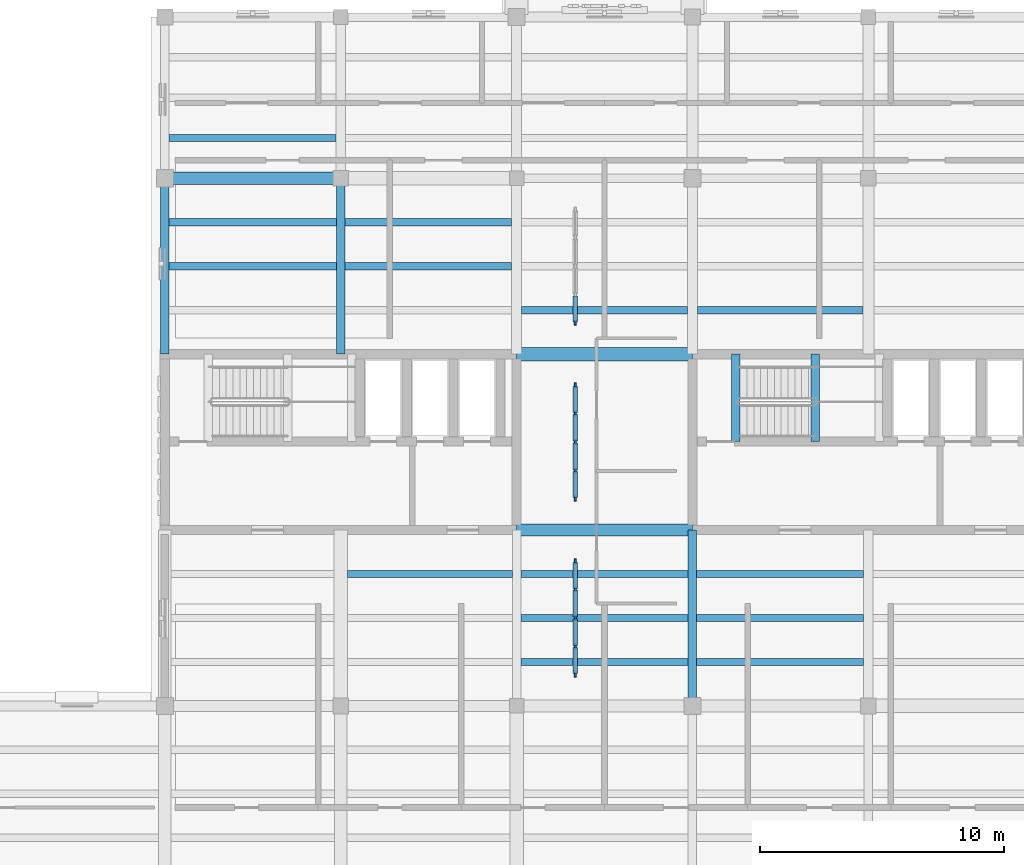
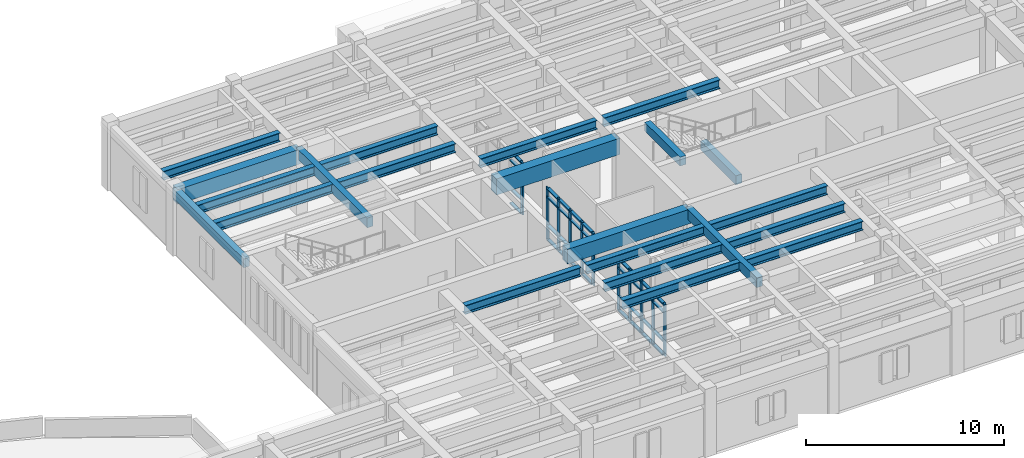
# One storey, part 13 of 66: 47 members, 22 beams, 3 elements without a shape of their own.
"""IFC4 building model written with IfcOpenShell, lengths in metres."""

from ifc_helpers import new_model, si_unit, direction, frame, origin, origin_2d, place, context, subcontext, project, spatial, rectangle, i_section, extrude, material, material_profile, profile_set, type_object, element, aggregate, save


model = new_model("IFC4")

# Units and contexts
model_context = context("Model", 3, precision=1e-05, world=origin(), true_north=direction((0.0, 1.0)))
body_context = subcontext(model_context, "Body", "Model", "MODEL_VIEW")
ifc_project = project(units=[si_unit("LENGTHUNIT", "METRE"), si_unit("AREAUNIT", "SQUARE_METRE"), si_unit("VOLUMEUNIT", "CUBIC_METRE"), si_unit("PLANEANGLEUNIT", "RADIAN"), si_unit("MASSUNIT", "GRAM", prefix="KILO")], contexts=[model_context])

# Site, building, storey
site_placement = place(None, origin())
site = spatial("IfcSite", under=ifc_project, at=site_placement, CompositionType="ELEMENT")
building_placement = place(site_placement, origin())
building = spatial("IfcBuilding", under=site, at=building_placement, Name="Mithqara Police Headquarters", CompositionType="ELEMENT")
storey_placement = place(building_placement, frame((0.0, 0.0, 9.60009765625)))
storey = spatial("IfcBuildingStorey", under=building, at=storey_placement, Name="L02", CompositionType="ELEMENT", Elevation=9.60009765625)

# Beams
ifc_material_1 = material(Name="Steel S355JR", Category="steel")
ifc_material_profile_1 = material_profile(ifc_material_1, i_section(OverallWidth=0.300048828125, OverallDepth=0.550048828125, WebThickness=0.014892578125, FlangeThickness=0.029052734375, FilletRadius=0.027099609375, at=origin_2d()), Name="HEB 550")
ifc_profile_set_1 = profile_set([ifc_material_profile_1], Name="Steel S355JR")
beam_type_1 = type_object("IfcBeamType", Name="BEAM HEB550", PredefinedType="BEAM", material=ifc_profile_set_1)
for number, where, z_axis, x_axis, name in (
    (1, (108.77490234375, 103.800048828125, 3.664794921875), (1.0, 0.0, 0.0), (0.0, 1.0, 0.0), "L02 Composite Steel Joist 16-17/Q.2"),
    (2, (108.77490234375, 105.60009765625, 3.664794921875), (1.0, 0.0, 0.0), (0.0, 1.0, 0.0), "L02 Composite Steel Joist 16-17/Q.3"),
):
    element("IfcBeam", number, at=place(storey_placement, frame(where, z_axis=z_axis, x_axis=x_axis)), inside=storey, type_object=beam_type_1, Name=name, PredefinedType="BEAM", context=body_context, shape_type="SweptSolid", body=[
        extrude(i_section(OverallWidth=0.300048828125, OverallDepth=0.550048828125, WebThickness=0.014892578125, FlangeThickness=0.029052734375, FilletRadius=0.027099609375, at=origin_2d()), origin(), (0.0, 0.0, 1.0), 6.85009765625),
    ])
beam_1_placement = place(storey_placement, frame((108.77490234375, 109.050048828125, 3.664794921875), z_axis=(1.0, 0.0, 0.0), x_axis=(0.0, 1.0, 0.0)))
element("IfcBeam", 3, at=beam_1_placement, inside=storey, type_object=beam_type_1, Name="L02 Composite Steel Joist 16-17/R.1", PredefinedType="BEAM", context=body_context, shape_type="SweptSolid", body=[
    extrude(i_section(OverallWidth=0.300048828125, OverallDepth=0.550048828125, WebThickness=0.014892578125, FlangeThickness=0.029052734375, FilletRadius=0.027099609375, at=origin_2d()), origin(), (0.0, 0.0, 1.0), 6.8251953125),
])
beam_2_placement = place(storey_placement, frame((116.074951171875, 91.199951171875, 3.664794921875), z_axis=(1.0, 0.0, 0.0), x_axis=(0.0, 1.0, 0.0)))
element("IfcBeam", 4, at=beam_2_placement, inside=storey, type_object=beam_type_1, Name="L02 Composite Steel Joist 17-18/N.3", PredefinedType="BEAM", context=body_context, shape_type="SweptSolid", body=[
    extrude(i_section(OverallWidth=0.300048828125, OverallDepth=0.550048828125, WebThickness=0.014892578125, FlangeThickness=0.029052734375, FilletRadius=0.027099609375, at=origin_2d()), origin(), (0.0, 0.0, 1.0), 6.75),
])
for number, where, z_axis, x_axis, name in (
    (5, (115.97509765625, 103.800048828125, 3.664794921875), (1.0, 0.0, 0.0), (0.0, 1.0, 0.0), "L02 Composite Steel Joist 17-18/Q.2"),
    (6, (115.97509765625, 105.60009765625, 3.664794921875), (1.0, 0.0, 0.0), (0.0, 1.0, 0.0), "L02 Composite Steel Joist 17-18/Q.3"),
):
    element("IfcBeam", number, at=place(storey_placement, frame(where, z_axis=z_axis, x_axis=x_axis)), inside=storey, type_object=beam_type_1, Name=name, PredefinedType="BEAM", context=body_context, shape_type="SweptSolid", body=[
        extrude(i_section(OverallWidth=0.300048828125, OverallDepth=0.550048828125, WebThickness=0.014892578125, FlangeThickness=0.029052734375, FilletRadius=0.027099609375, at=origin_2d()), origin(), (0.0, 0.0, 1.0), 6.824951171875),
    ])
for number, where, z_axis, x_axis, name in (
    (7, (123.175048828125, 87.60009765625, 3.664794921875), (1.0, 0.0, 0.0), (0.0, 1.0, 0.0), "L02 Composite Steel Joist 18-19/N.1"),
    (8, (123.175048828125, 89.39990234375, 3.664794921875), (1.0, 0.0, 0.0), (0.0, 1.0, 0.0), "L02 Composite Steel Joist 18-19/N.2"),
    (9, (123.175048828125, 91.199951171875, 3.664794921875), (1.0, 0.0, 0.0), (0.0, 1.0, 0.0), "L02 Composite Steel Joist 18-19/N.3"),
):
    element("IfcBeam", number, at=place(storey_placement, frame(where, z_axis=z_axis, x_axis=x_axis)), inside=storey, type_object=beam_type_1, Name=name, PredefinedType="BEAM", context=body_context, shape_type="SweptSolid", body=[
        extrude(i_section(OverallWidth=0.300048828125, OverallDepth=0.550048828125, WebThickness=0.014892578125, FlangeThickness=0.029052734375, FilletRadius=0.027099609375, at=origin_2d()), origin(), (0.0, 0.0, 1.0), 6.849853515625),
    ])
beam_3_placement = place(storey_placement, frame((123.199951171875, 102.0, 3.664794921875), z_axis=(1.0, 0.0, 0.0), x_axis=(0.0, 1.0, 0.0)))
element("IfcBeam", 10, at=beam_3_placement, inside=storey, type_object=beam_type_1, Name="L02 Composite Steel Joist 18-19/Q.1", PredefinedType="BEAM", context=body_context, shape_type="SweptSolid", body=[
    extrude(i_section(OverallWidth=0.300048828125, OverallDepth=0.550048828125, WebThickness=0.014892578125, FlangeThickness=0.029052734375, FilletRadius=0.027099609375, at=origin_2d()), origin(), (0.0, 0.0, 1.0), 6.800048828125),
])
for number, where, z_axis, x_axis, name in (
    (11, (130.375, 87.60009765625, 3.664794921875), (1.0, 0.0, 0.0), (0.0, 1.0, 0.0), "L02 Composite Steel Joist 19-20/N.1"),
    (12, (130.375, 89.39990234375, 3.664794921875), (1.0, 0.0, 0.0), (0.0, 1.0, 0.0), "L02 Composite Steel Joist 19-20/N.2"),
    (13, (130.375, 91.199951171875, 3.664794921875), (1.0, 0.0, 0.0), (0.0, 1.0, 0.0), "L02 Composite Steel Joist 19-20/N.3"),
):
    element("IfcBeam", number, at=place(storey_placement, frame(where, z_axis=z_axis, x_axis=x_axis)), inside=storey, type_object=beam_type_1, Name=name, PredefinedType="BEAM", context=body_context, shape_type="SweptSolid", body=[
        extrude(i_section(OverallWidth=0.300048828125, OverallDepth=0.550048828125, WebThickness=0.014892578125, FlangeThickness=0.029052734375, FilletRadius=0.027099609375, at=origin_2d()), origin(), (0.0, 0.0, 1.0), 6.824951171875),
    ])
beam_4_placement = place(storey_placement, frame((130.39990234375, 102.0, 3.664794921875), z_axis=(1.0, 0.0, 0.0), x_axis=(0.0, 1.0, 0.0)))
element("IfcBeam", 14, at=beam_4_placement, inside=storey, type_object=beam_type_1, Name="L02 Composite Steel Joist 19-20/Q.1", PredefinedType="BEAM", context=body_context, shape_type="SweptSolid", body=[
    extrude(i_section(OverallWidth=0.300048828125, OverallDepth=0.550048828125, WebThickness=0.014892578125, FlangeThickness=0.029052734375, FilletRadius=0.027099609375, at=origin_2d()), origin(), (0.0, 0.0, 1.0), 6.775146484375),
])
ifc_material_2 = material(Name="Concrete C40/50", Category="concrete")
ifc_material_profile_2 = material_profile(ifc_material_2, rectangle(XDim=0.35009765625, YDim=0.550048828125, at=origin_2d()), Name="RC 350x550")
ifc_profile_set_2 = profile_set([ifc_material_profile_2], Name="Concrete C40/50")
beam_type_2 = type_object("IfcBeamType", Name="BEAM RC350X550", PredefinedType="BEAM", material=ifc_profile_set_2)
beam_5_placement = place(storey_placement, frame((108.60009765625, 100.199951171875, 3.664794921875), z_axis=(0.0, 1.0, 0.0), x_axis=(-1.0, 0.0, 0.0)))
element("IfcBeam", 15, at=beam_5_placement, inside=storey, type_object=beam_type_2, Name="L02 Girder 16/Q-R", PredefinedType="BEAM", context=body_context, shape_type="SweptSolid", body=[
    extrude(rectangle(XDim=0.35009765625, YDim=0.550048828125, at=origin_2d()), origin(), (0.0, 0.0, 1.0), 7.199951171875),
])
for number, where, z_axis, x_axis, name in (
    (16, (135.22998046875, 96.6201171875, 1.635009765625), (0.0, 1.0, 0.0), (-1.0, 0.0, 0.0), "L02 ST-02 Half-Landing Bearer LF"),
    (17, (131.97705078125, 96.6201171875, 3.9248046875), (0.0, 1.0, 0.0), (-1.0, 0.0, 0.0), "L02 ST-02 Stairwell Trimmer Beam"),
):
    element("IfcBeam", number, at=place(storey_placement, frame(where, z_axis=z_axis, x_axis=x_axis)), inside=storey, type_object=beam_type_2, Name=name, PredefinedType="BEAM", context=body_context, shape_type="SweptSolid", body=[
        extrude(rectangle(XDim=0.35009765625, YDim=0.550048828125, at=origin_2d()), origin(), (0.0, 0.0, 1.0), 3.579833984375),
    ])
ifc_material_profile_3 = material_profile(ifc_material_2, rectangle(XDim=0.35009765625, YDim=0.60009765625, at=origin_2d()), Name="RC 350x600")
ifc_profile_set_3 = profile_set([ifc_material_profile_3], Name="Concrete C40/50")
beam_type_3 = type_object("IfcBeamType", Name="BEAM RC350X600", PredefinedType="BEAM", material=ifc_profile_set_3)
for number, where, z_axis, x_axis, name in (
    (18, (115.800048828125, 100.199951171875, 3.639892578125), (0.0, 1.0, 0.0), (-1.0, 0.0, 0.0), "L02 Girder 17/Q-R"),
    (19, (130.199951171875, 85.800048828125, 3.639892578125), (0.0, 1.0, 0.0), (-1.0, 0.0, 0.0), "L02 Girder 19/N-P"),
):
    element("IfcBeam", number, at=place(storey_placement, frame(where, z_axis=z_axis, x_axis=x_axis)), inside=storey, type_object=beam_type_3, Name=name, PredefinedType="BEAM", context=body_context, shape_type="SweptSolid", body=[
        extrude(rectangle(XDim=0.35009765625, YDim=0.60009765625, at=origin_2d()), origin(), (0.0, 0.0, 1.0), 7.199951171875),
    ])
ifc_material_3 = material(Name="Concrete C50/60", Category="concrete")
ifc_material_profile_4 = material_profile(ifc_material_3, rectangle(XDim=0.5, YDim=0.89990234375, at=origin_2d()), Name="RC 500x900")
ifc_profile_set_4 = profile_set([ifc_material_profile_4], Name="Concrete C50/60")
beam_type_4 = type_object("IfcBeamType", Name="BEAM RC500X900", PredefinedType="BEAM", material=ifc_profile_set_4)
for number, where, z_axis, x_axis, name in (
    (20, (108.60009765625, 107.39990234375, 3.489990234375), (1.0, 0.0, 0.0), (0.0, 1.0, 0.0), "L02 Girder 16-17/R"),
    (21, (123.0, 93.0, 3.489990234375), (1.0, 0.0, 0.0), (0.0, 1.0, 0.0), "L02 Girder 18-19/P"),
):
    element("IfcBeam", number, at=place(storey_placement, frame(where, z_axis=z_axis, x_axis=x_axis)), inside=storey, type_object=beam_type_4, Name=name, PredefinedType="BEAM", context=body_context, shape_type="SweptSolid", body=[
        extrude(rectangle(XDim=0.5, YDim=0.89990234375, at=origin_2d()), origin(), (0.0, 0.0, 1.0), 7.199951171875),
    ])
ifc_material_profile_5 = material_profile(ifc_material_3, rectangle(XDim=0.550048828125, YDim=1.0, at=origin_2d()), Name="RC 550x1000")
ifc_profile_set_5 = profile_set([ifc_material_profile_5], Name="Concrete C50/60")
beam_type_5 = type_object("IfcBeamType", Name="BEAM RC550X1000", PredefinedType="BEAM", material=ifc_profile_set_5)
beam_6_placement = place(storey_placement, frame((123.0, 100.199951171875, 3.43994140625), z_axis=(1.0, 0.0, 0.0), x_axis=(0.0, 1.0, 0.0)))
element("IfcBeam", 22, at=beam_6_placement, inside=storey, type_object=beam_type_5, Name="L02 Girder 18-19/Q", PredefinedType="BEAM", context=body_context, shape_type="SweptSolid", body=[
    extrude(rectangle(XDim=0.550048828125, YDim=1.0, at=origin_2d()), origin(), (0.0, 0.0, 1.0), 7.199951171875),
])

# Curtain wall, members
ifc_material_4 = material(Name="Bronze anodised aluminium 6063-T6", Category="aluminium")
curtain_wall_type = type_object("IfcCurtainWallType", Name="CURTAIN WALL 4700X3220", PredefinedType="USERDEFINED", material=ifc_material_4)
curtain_wall_1_placement = place(storey_placement, origin())
curtain_wall_1 = element("IfcCurtainWall", 23, at=curtain_wall_1_placement, inside=storey, type_object=curtain_wall_type, Name="L02 Unitised Glazing CW-16 (CW-INT-L02-X17-Y12-0)", ObjectType="UNITISED GLAZING", PredefinedType="USERDEFINED")
ifc_material_profile_6 = material_profile(ifc_material_4, rectangle(XDim=0.074951171875, YDim=0.219970703125, at=origin_2d()), Name="CWM 75x220")
ifc_profile_set_6 = profile_set([ifc_material_profile_6], Name="Bronze anodised aluminium 6063-T6")
member_type_1 = type_object("IfcMemberType", Name="CWMULLION 75X220", PredefinedType="MULLION", material=ifc_profile_set_6)
member_1_placement = place(storey_placement, frame((125.39990234375, 87.08740234375, 0.0), z_axis=(0.0, 0.0, 1.0), x_axis=(-1.0, 0.0, 0.0)))
member_1 = element("IfcMember", 24, at=member_1_placement, type_object=member_type_1, Name="CW-16 mullion 1", PredefinedType="MULLION", context=body_context, shape_type="SweptSolid", body=[
    extrude(rectangle(XDim=0.074951171875, YDim=0.219970703125, at=origin_2d()), origin(), (0.0, 0.0, 1.0), 3.219970703125),
])
member_2_placement = place(storey_placement, frame((125.39990234375, 88.22509765625, 0.0), z_axis=(0.0, 0.0, 1.0), x_axis=(-1.0, 0.0, 0.0)))
member_2 = element("IfcMember", 25, at=member_2_placement, type_object=member_type_1, Name="CW-16 mullion 2", PredefinedType="MULLION", context=body_context, shape_type="SweptSolid", body=[
    extrude(rectangle(XDim=0.074951171875, YDim=0.219970703125, at=origin_2d()), origin(), (0.0, 0.0, 1.0), 3.219970703125),
])
member_3_placement = place(storey_placement, frame((125.39990234375, 89.39990234375, 0.0), z_axis=(0.0, 0.0, 1.0), x_axis=(-1.0, 0.0, 0.0)))
member_3 = element("IfcMember", 26, at=member_3_placement, type_object=member_type_1, Name="CW-16 mullion 3", PredefinedType="MULLION", context=body_context, shape_type="SweptSolid", body=[
    extrude(rectangle(XDim=0.074951171875, YDim=0.219970703125, at=origin_2d()), origin(), (0.0, 0.0, 1.0), 3.219970703125),
])
member_4_placement = place(storey_placement, frame((125.39990234375, 90.574951171875, 0.0), z_axis=(0.0, 0.0, 1.0), x_axis=(-1.0, 0.0, 0.0)))
member_4 = element("IfcMember", 27, at=member_4_placement, type_object=member_type_1, Name="CW-16 mullion 4", PredefinedType="MULLION", context=body_context, shape_type="SweptSolid", body=[
    extrude(rectangle(XDim=0.074951171875, YDim=0.219970703125, at=origin_2d()), origin(), (0.0, 0.0, 1.0), 3.219970703125),
])
member_5_placement = place(storey_placement, frame((125.39990234375, 91.71240234375, 0.0), z_axis=(0.0, 0.0, 1.0), x_axis=(-1.0, 0.0, 0.0)))
member_5 = element("IfcMember", 28, at=member_5_placement, type_object=member_type_1, Name="CW-16 mullion 5", PredefinedType="MULLION", context=body_context, shape_type="SweptSolid", body=[
    extrude(rectangle(XDim=0.074951171875, YDim=0.219970703125, at=origin_2d()), origin(), (0.0, 0.0, 1.0), 3.219970703125),
])

curtain_wall_2_placement = place(storey_placement, origin())
curtain_wall_2 = element("IfcCurtainWall", 29, at=curtain_wall_2_placement, inside=storey, type_object=curtain_wall_type, Name="L02 Unitised Glazing CW-16 (CW-INT-L02-X17-Y13-0)", ObjectType="UNITISED GLAZING", PredefinedType="USERDEFINED")
member_6_placement = place(storey_placement, frame((125.39990234375, 94.28759765625, 0.0), z_axis=(0.0, 0.0, 1.0), x_axis=(-1.0, 0.0, 0.0)))
member_6 = element("IfcMember", 30, at=member_6_placement, type_object=member_type_1, Name="CW-16 mullion 1", PredefinedType="MULLION", context=body_context, shape_type="SweptSolid", body=[
    extrude(rectangle(XDim=0.074951171875, YDim=0.219970703125, at=origin_2d()), origin(), (0.0, 0.0, 1.0), 3.219970703125),
])
member_7_placement = place(storey_placement, frame((125.39990234375, 95.425048828125, 0.0), z_axis=(0.0, 0.0, 1.0), x_axis=(-1.0, 0.0, 0.0)))
member_7 = element("IfcMember", 31, at=member_7_placement, type_object=member_type_1, Name="CW-16 mullion 2", PredefinedType="MULLION", context=body_context, shape_type="SweptSolid", body=[
    extrude(rectangle(XDim=0.074951171875, YDim=0.219970703125, at=origin_2d()), origin(), (0.0, 0.0, 1.0), 3.219970703125),
])
member_8_placement = place(storey_placement, frame((125.39990234375, 96.60009765625, 0.0), z_axis=(0.0, 0.0, 1.0), x_axis=(-1.0, 0.0, 0.0)))
member_8 = element("IfcMember", 32, at=member_8_placement, type_object=member_type_1, Name="CW-16 mullion 3", PredefinedType="MULLION", context=body_context, shape_type="SweptSolid", body=[
    extrude(rectangle(XDim=0.074951171875, YDim=0.219970703125, at=origin_2d()), origin(), (0.0, 0.0, 1.0), 3.219970703125),
])
member_9_placement = place(storey_placement, frame((125.39990234375, 97.77490234375, 0.0), z_axis=(0.0, 0.0, 1.0), x_axis=(-1.0, 0.0, 0.0)))
member_9 = element("IfcMember", 33, at=member_9_placement, type_object=member_type_1, Name="CW-16 mullion 4", PredefinedType="MULLION", context=body_context, shape_type="SweptSolid", body=[
    extrude(rectangle(XDim=0.074951171875, YDim=0.219970703125, at=origin_2d()), origin(), (0.0, 0.0, 1.0), 3.219970703125),
])
member_10_placement = place(storey_placement, frame((125.39990234375, 98.91259765625, 0.0), z_axis=(0.0, 0.0, 1.0), x_axis=(-1.0, 0.0, 0.0)))
member_10 = element("IfcMember", 34, at=member_10_placement, type_object=member_type_1, Name="CW-16 mullion 5", PredefinedType="MULLION", context=body_context, shape_type="SweptSolid", body=[
    extrude(rectangle(XDim=0.074951171875, YDim=0.219970703125, at=origin_2d()), origin(), (0.0, 0.0, 1.0), 3.219970703125),
])

# Curtain wall, member
curtain_wall_3_placement = place(storey_placement, origin())
curtain_wall_3 = element("IfcCurtainWall", 35, at=curtain_wall_3_placement, inside=storey, type_object=curtain_wall_type, Name="L02 Unitised Glazing CW-16 (CW-INT-L02-X17-Y14-0)", ObjectType="UNITISED GLAZING", PredefinedType="USERDEFINED")
member_11_placement = place(storey_placement, frame((125.39990234375, 101.487548828125, 0.0), z_axis=(0.0, 0.0, 1.0), x_axis=(-1.0, 0.0, 0.0)))
member_11 = element("IfcMember", 36, at=member_11_placement, type_object=member_type_1, Name="CW-16 mullion 1", PredefinedType="MULLION", context=body_context, shape_type="SweptSolid", body=[
    extrude(rectangle(XDim=0.074951171875, YDim=0.219970703125, at=origin_2d()), origin(), (0.0, 0.0, 1.0), 3.219970703125),
])

# Member
ifc_material_profile_7 = material_profile(ifc_material_4, rectangle(XDim=0.179931640625, YDim=0.074951171875, at=origin_2d()), Name="CWT 180x75")
ifc_profile_set_7 = profile_set([ifc_material_profile_7], Name="Bronze anodised aluminium 6063-T6")
member_type_2 = type_object("IfcMemberType", Name="CWTRANSOM 180X75", PredefinedType="USERDEFINED", material=ifc_profile_set_7)
member_12_placement = place(storey_placement, frame((125.39990234375, 87.125, 0.037353515625), z_axis=(0.0, 1.0, 0.0), x_axis=(-1.0, 0.0, 0.0)))
member_12 = element("IfcMember", 37, at=member_12_placement, type_object=member_type_2, Name="CW-16 transom 1.1", ObjectType="TRANSOM", PredefinedType="USERDEFINED", context=body_context, shape_type="SweptSolid", body=[
    extrude(rectangle(XDim=0.179931640625, YDim=0.074951171875, at=origin_2d()), origin(), (0.0, 0.0, 1.0), 1.0625),
])

member_13_placement = place(storey_placement, frame((125.39990234375, 87.125, 0.89990234375), z_axis=(0.0, 1.0, 0.0), x_axis=(-1.0, 0.0, 0.0)))
member_13 = element("IfcMember", 38, at=member_13_placement, type_object=member_type_2, Name="CW-16 transom 1.2", ObjectType="TRANSOM", PredefinedType="USERDEFINED", context=body_context, shape_type="SweptSolid", body=[
    extrude(rectangle(XDim=0.179931640625, YDim=0.074951171875, at=origin_2d()), origin(), (0.0, 0.0, 1.0), 1.0625),
])

member_14_placement = place(storey_placement, frame((125.39990234375, 87.125, 2.669921875), z_axis=(0.0, 1.0, 0.0), x_axis=(-1.0, 0.0, 0.0)))
member_14 = element("IfcMember", 39, at=member_14_placement, type_object=member_type_2, Name="CW-16 transom 1.3", ObjectType="TRANSOM", PredefinedType="USERDEFINED", context=body_context, shape_type="SweptSolid", body=[
    extrude(rectangle(XDim=0.179931640625, YDim=0.074951171875, at=origin_2d()), origin(), (0.0, 0.0, 1.0), 1.0625),
])

member_15_placement = place(storey_placement, frame((125.39990234375, 87.125, 3.182373046875), z_axis=(0.0, 1.0, 0.0), x_axis=(-1.0, 0.0, 0.0)))
member_15 = element("IfcMember", 40, at=member_15_placement, type_object=member_type_2, Name="CW-16 transom 1.4", ObjectType="TRANSOM", PredefinedType="USERDEFINED", context=body_context, shape_type="SweptSolid", body=[
    extrude(rectangle(XDim=0.179931640625, YDim=0.074951171875, at=origin_2d()), origin(), (0.0, 0.0, 1.0), 1.0625),
])

member_16_placement = place(storey_placement, frame((125.39990234375, 88.262451171875, 0.037353515625), z_axis=(0.0, 1.0, 0.0), x_axis=(-1.0, 0.0, 0.0)))
member_16 = element("IfcMember", 41, at=member_16_placement, type_object=member_type_2, Name="CW-16 transom 2.1", ObjectType="TRANSOM", PredefinedType="USERDEFINED", context=body_context, shape_type="SweptSolid", body=[
    extrude(rectangle(XDim=0.179931640625, YDim=0.074951171875, at=origin_2d()), origin(), (0.0, 0.0, 1.0), 1.10009765625),
])

member_17_placement = place(storey_placement, frame((125.39990234375, 88.262451171875, 0.89990234375), z_axis=(0.0, 1.0, 0.0), x_axis=(-1.0, 0.0, 0.0)))
member_17 = element("IfcMember", 42, at=member_17_placement, type_object=member_type_2, Name="CW-16 transom 2.2", ObjectType="TRANSOM", PredefinedType="USERDEFINED", context=body_context, shape_type="SweptSolid", body=[
    extrude(rectangle(XDim=0.179931640625, YDim=0.074951171875, at=origin_2d()), origin(), (0.0, 0.0, 1.0), 1.10009765625),
])

member_18_placement = place(storey_placement, frame((125.39990234375, 88.262451171875, 2.669921875), z_axis=(0.0, 1.0, 0.0), x_axis=(-1.0, 0.0, 0.0)))
member_18 = element("IfcMember", 43, at=member_18_placement, type_object=member_type_2, Name="CW-16 transom 2.3", ObjectType="TRANSOM", PredefinedType="USERDEFINED", context=body_context, shape_type="SweptSolid", body=[
    extrude(rectangle(XDim=0.179931640625, YDim=0.074951171875, at=origin_2d()), origin(), (0.0, 0.0, 1.0), 1.10009765625),
])

member_19_placement = place(storey_placement, frame((125.39990234375, 88.262451171875, 3.182373046875), z_axis=(0.0, 1.0, 0.0), x_axis=(-1.0, 0.0, 0.0)))
member_19 = element("IfcMember", 44, at=member_19_placement, type_object=member_type_2, Name="CW-16 transom 2.4", ObjectType="TRANSOM", PredefinedType="USERDEFINED", context=body_context, shape_type="SweptSolid", body=[
    extrude(rectangle(XDim=0.179931640625, YDim=0.074951171875, at=origin_2d()), origin(), (0.0, 0.0, 1.0), 1.10009765625),
])

member_20_placement = place(storey_placement, frame((125.39990234375, 89.4375, 0.037353515625), z_axis=(0.0, 1.0, 0.0), x_axis=(-1.0, 0.0, 0.0)))
member_20 = element("IfcMember", 45, at=member_20_placement, type_object=member_type_2, Name="CW-16 transom 3.1", ObjectType="TRANSOM", PredefinedType="USERDEFINED", context=body_context, shape_type="SweptSolid", body=[
    extrude(rectangle(XDim=0.179931640625, YDim=0.074951171875, at=origin_2d()), origin(), (0.0, 0.0, 1.0), 1.10009765625),
])

member_21_placement = place(storey_placement, frame((125.39990234375, 89.4375, 0.89990234375), z_axis=(0.0, 1.0, 0.0), x_axis=(-1.0, 0.0, 0.0)))
member_21 = element("IfcMember", 46, at=member_21_placement, type_object=member_type_2, Name="CW-16 transom 3.2", ObjectType="TRANSOM", PredefinedType="USERDEFINED", context=body_context, shape_type="SweptSolid", body=[
    extrude(rectangle(XDim=0.179931640625, YDim=0.074951171875, at=origin_2d()), origin(), (0.0, 0.0, 1.0), 1.10009765625),
])

member_22_placement = place(storey_placement, frame((125.39990234375, 89.4375, 2.669921875), z_axis=(0.0, 1.0, 0.0), x_axis=(-1.0, 0.0, 0.0)))
member_22 = element("IfcMember", 47, at=member_22_placement, type_object=member_type_2, Name="CW-16 transom 3.3", ObjectType="TRANSOM", PredefinedType="USERDEFINED", context=body_context, shape_type="SweptSolid", body=[
    extrude(rectangle(XDim=0.179931640625, YDim=0.074951171875, at=origin_2d()), origin(), (0.0, 0.0, 1.0), 1.10009765625),
])

member_23_placement = place(storey_placement, frame((125.39990234375, 89.4375, 3.182373046875), z_axis=(0.0, 1.0, 0.0), x_axis=(-1.0, 0.0, 0.0)))
member_23 = element("IfcMember", 48, at=member_23_placement, type_object=member_type_2, Name="CW-16 transom 3.4", ObjectType="TRANSOM", PredefinedType="USERDEFINED", context=body_context, shape_type="SweptSolid", body=[
    extrude(rectangle(XDim=0.179931640625, YDim=0.074951171875, at=origin_2d()), origin(), (0.0, 0.0, 1.0), 1.10009765625),
])

member_24_placement = place(storey_placement, frame((125.39990234375, 90.612548828125, 0.037353515625), z_axis=(0.0, 1.0, 0.0), x_axis=(-1.0, 0.0, 0.0)))
member_24 = element("IfcMember", 49, at=member_24_placement, type_object=member_type_2, Name="CW-16 transom 4.1", ObjectType="TRANSOM", PredefinedType="USERDEFINED", context=body_context, shape_type="SweptSolid", body=[
    extrude(rectangle(XDim=0.179931640625, YDim=0.074951171875, at=origin_2d()), origin(), (0.0, 0.0, 1.0), 1.0625),
])

member_25_placement = place(storey_placement, frame((125.39990234375, 90.612548828125, 0.89990234375), z_axis=(0.0, 1.0, 0.0), x_axis=(-1.0, 0.0, 0.0)))
member_25 = element("IfcMember", 50, at=member_25_placement, type_object=member_type_2, Name="CW-16 transom 4.2", ObjectType="TRANSOM", PredefinedType="USERDEFINED", context=body_context, shape_type="SweptSolid", body=[
    extrude(rectangle(XDim=0.179931640625, YDim=0.074951171875, at=origin_2d()), origin(), (0.0, 0.0, 1.0), 1.0625),
])

member_26_placement = place(storey_placement, frame((125.39990234375, 90.612548828125, 2.669921875), z_axis=(0.0, 1.0, 0.0), x_axis=(-1.0, 0.0, 0.0)))
member_26 = element("IfcMember", 51, at=member_26_placement, type_object=member_type_2, Name="CW-16 transom 4.3", ObjectType="TRANSOM", PredefinedType="USERDEFINED", context=body_context, shape_type="SweptSolid", body=[
    extrude(rectangle(XDim=0.179931640625, YDim=0.074951171875, at=origin_2d()), origin(), (0.0, 0.0, 1.0), 1.0625),
])

member_27_placement = place(storey_placement, frame((125.39990234375, 90.612548828125, 3.182373046875), z_axis=(0.0, 1.0, 0.0), x_axis=(-1.0, 0.0, 0.0)))
member_27 = element("IfcMember", 52, at=member_27_placement, type_object=member_type_2, Name="CW-16 transom 4.4", ObjectType="TRANSOM", PredefinedType="USERDEFINED", context=body_context, shape_type="SweptSolid", body=[
    extrude(rectangle(XDim=0.179931640625, YDim=0.074951171875, at=origin_2d()), origin(), (0.0, 0.0, 1.0), 1.0625),
])

aggregate(curtain_wall_1, [member_1, member_2, member_3, member_4, member_5, member_12, member_13, member_14, member_15, member_16, member_17, member_18, member_19, member_20, member_21, member_22, member_23, member_24, member_25, member_26, member_27])

member_28_placement = place(storey_placement, frame((125.39990234375, 94.324951171875, 0.037353515625), z_axis=(0.0, 1.0, 0.0), x_axis=(-1.0, 0.0, 0.0)))
member_28 = element("IfcMember", 53, at=member_28_placement, type_object=member_type_2, Name="CW-16 transom 1.1", ObjectType="TRANSOM", PredefinedType="USERDEFINED", context=body_context, shape_type="SweptSolid", body=[
    extrude(rectangle(XDim=0.179931640625, YDim=0.074951171875, at=origin_2d()), origin(), (0.0, 0.0, 1.0), 1.0625),
])

member_29_placement = place(storey_placement, frame((125.39990234375, 94.324951171875, 0.89990234375), z_axis=(0.0, 1.0, 0.0), x_axis=(-1.0, 0.0, 0.0)))
member_29 = element("IfcMember", 54, at=member_29_placement, type_object=member_type_2, Name="CW-16 transom 1.2", ObjectType="TRANSOM", PredefinedType="USERDEFINED", context=body_context, shape_type="SweptSolid", body=[
    extrude(rectangle(XDim=0.179931640625, YDim=0.074951171875, at=origin_2d()), origin(), (0.0, 0.0, 1.0), 1.0625),
])

member_30_placement = place(storey_placement, frame((125.39990234375, 94.324951171875, 2.669921875), z_axis=(0.0, 1.0, 0.0), x_axis=(-1.0, 0.0, 0.0)))
member_30 = element("IfcMember", 55, at=member_30_placement, type_object=member_type_2, Name="CW-16 transom 1.3", ObjectType="TRANSOM", PredefinedType="USERDEFINED", context=body_context, shape_type="SweptSolid", body=[
    extrude(rectangle(XDim=0.179931640625, YDim=0.074951171875, at=origin_2d()), origin(), (0.0, 0.0, 1.0), 1.0625),
])

member_31_placement = place(storey_placement, frame((125.39990234375, 94.324951171875, 3.182373046875), z_axis=(0.0, 1.0, 0.0), x_axis=(-1.0, 0.0, 0.0)))
member_31 = element("IfcMember", 56, at=member_31_placement, type_object=member_type_2, Name="CW-16 transom 1.4", ObjectType="TRANSOM", PredefinedType="USERDEFINED", context=body_context, shape_type="SweptSolid", body=[
    extrude(rectangle(XDim=0.179931640625, YDim=0.074951171875, at=origin_2d()), origin(), (0.0, 0.0, 1.0), 1.0625),
])

member_32_placement = place(storey_placement, frame((125.39990234375, 95.46240234375, 0.037353515625), z_axis=(0.0, 1.0, 0.0), x_axis=(-1.0, 0.0, 0.0)))
member_32 = element("IfcMember", 57, at=member_32_placement, type_object=member_type_2, Name="CW-16 transom 2.1", ObjectType="TRANSOM", PredefinedType="USERDEFINED", context=body_context, shape_type="SweptSolid", body=[
    extrude(rectangle(XDim=0.179931640625, YDim=0.074951171875, at=origin_2d()), origin(), (0.0, 0.0, 1.0), 1.10009765625),
])

member_33_placement = place(storey_placement, frame((125.39990234375, 95.46240234375, 0.89990234375), z_axis=(0.0, 1.0, 0.0), x_axis=(-1.0, 0.0, 0.0)))
member_33 = element("IfcMember", 58, at=member_33_placement, type_object=member_type_2, Name="CW-16 transom 2.2", ObjectType="TRANSOM", PredefinedType="USERDEFINED", context=body_context, shape_type="SweptSolid", body=[
    extrude(rectangle(XDim=0.179931640625, YDim=0.074951171875, at=origin_2d()), origin(), (0.0, 0.0, 1.0), 1.10009765625),
])

member_34_placement = place(storey_placement, frame((125.39990234375, 95.46240234375, 2.669921875), z_axis=(0.0, 1.0, 0.0), x_axis=(-1.0, 0.0, 0.0)))
member_34 = element("IfcMember", 59, at=member_34_placement, type_object=member_type_2, Name="CW-16 transom 2.3", ObjectType="TRANSOM", PredefinedType="USERDEFINED", context=body_context, shape_type="SweptSolid", body=[
    extrude(rectangle(XDim=0.179931640625, YDim=0.074951171875, at=origin_2d()), origin(), (0.0, 0.0, 1.0), 1.10009765625),
])

member_35_placement = place(storey_placement, frame((125.39990234375, 95.46240234375, 3.182373046875), z_axis=(0.0, 1.0, 0.0), x_axis=(-1.0, 0.0, 0.0)))
member_35 = element("IfcMember", 60, at=member_35_placement, type_object=member_type_2, Name="CW-16 transom 2.4", ObjectType="TRANSOM", PredefinedType="USERDEFINED", context=body_context, shape_type="SweptSolid", body=[
    extrude(rectangle(XDim=0.179931640625, YDim=0.074951171875, at=origin_2d()), origin(), (0.0, 0.0, 1.0), 1.10009765625),
])

member_36_placement = place(storey_placement, frame((125.39990234375, 96.637451171875, 0.037353515625), z_axis=(0.0, 1.0, 0.0), x_axis=(-1.0, 0.0, 0.0)))
member_36 = element("IfcMember", 61, at=member_36_placement, type_object=member_type_2, Name="CW-16 transom 3.1", ObjectType="TRANSOM", PredefinedType="USERDEFINED", context=body_context, shape_type="SweptSolid", body=[
    extrude(rectangle(XDim=0.179931640625, YDim=0.074951171875, at=origin_2d()), origin(), (0.0, 0.0, 1.0), 1.10009765625),
])

member_37_placement = place(storey_placement, frame((125.39990234375, 96.637451171875, 0.89990234375), z_axis=(0.0, 1.0, 0.0), x_axis=(-1.0, 0.0, 0.0)))
member_37 = element("IfcMember", 62, at=member_37_placement, type_object=member_type_2, Name="CW-16 transom 3.2", ObjectType="TRANSOM", PredefinedType="USERDEFINED", context=body_context, shape_type="SweptSolid", body=[
    extrude(rectangle(XDim=0.179931640625, YDim=0.074951171875, at=origin_2d()), origin(), (0.0, 0.0, 1.0), 1.10009765625),
])

member_38_placement = place(storey_placement, frame((125.39990234375, 96.637451171875, 2.669921875), z_axis=(0.0, 1.0, 0.0), x_axis=(-1.0, 0.0, 0.0)))
member_38 = element("IfcMember", 63, at=member_38_placement, type_object=member_type_2, Name="CW-16 transom 3.3", ObjectType="TRANSOM", PredefinedType="USERDEFINED", context=body_context, shape_type="SweptSolid", body=[
    extrude(rectangle(XDim=0.179931640625, YDim=0.074951171875, at=origin_2d()), origin(), (0.0, 0.0, 1.0), 1.10009765625),
])

member_39_placement = place(storey_placement, frame((125.39990234375, 96.637451171875, 3.182373046875), z_axis=(0.0, 1.0, 0.0), x_axis=(-1.0, 0.0, 0.0)))
member_39 = element("IfcMember", 64, at=member_39_placement, type_object=member_type_2, Name="CW-16 transom 3.4", ObjectType="TRANSOM", PredefinedType="USERDEFINED", context=body_context, shape_type="SweptSolid", body=[
    extrude(rectangle(XDim=0.179931640625, YDim=0.074951171875, at=origin_2d()), origin(), (0.0, 0.0, 1.0), 1.10009765625),
])

member_40_placement = place(storey_placement, frame((125.39990234375, 97.8125, 0.037353515625), z_axis=(0.0, 1.0, 0.0), x_axis=(-1.0, 0.0, 0.0)))
member_40 = element("IfcMember", 65, at=member_40_placement, type_object=member_type_2, Name="CW-16 transom 4.1", ObjectType="TRANSOM", PredefinedType="USERDEFINED", context=body_context, shape_type="SweptSolid", body=[
    extrude(rectangle(XDim=0.179931640625, YDim=0.074951171875, at=origin_2d()), origin(), (0.0, 0.0, 1.0), 1.0625),
])

member_41_placement = place(storey_placement, frame((125.39990234375, 97.8125, 0.89990234375), z_axis=(0.0, 1.0, 0.0), x_axis=(-1.0, 0.0, 0.0)))
member_41 = element("IfcMember", 66, at=member_41_placement, type_object=member_type_2, Name="CW-16 transom 4.2", ObjectType="TRANSOM", PredefinedType="USERDEFINED", context=body_context, shape_type="SweptSolid", body=[
    extrude(rectangle(XDim=0.179931640625, YDim=0.074951171875, at=origin_2d()), origin(), (0.0, 0.0, 1.0), 1.0625),
])

member_42_placement = place(storey_placement, frame((125.39990234375, 97.8125, 2.669921875), z_axis=(0.0, 1.0, 0.0), x_axis=(-1.0, 0.0, 0.0)))
member_42 = element("IfcMember", 67, at=member_42_placement, type_object=member_type_2, Name="CW-16 transom 4.3", ObjectType="TRANSOM", PredefinedType="USERDEFINED", context=body_context, shape_type="SweptSolid", body=[
    extrude(rectangle(XDim=0.179931640625, YDim=0.074951171875, at=origin_2d()), origin(), (0.0, 0.0, 1.0), 1.0625),
])

member_43_placement = place(storey_placement, frame((125.39990234375, 97.8125, 3.182373046875), z_axis=(0.0, 1.0, 0.0), x_axis=(-1.0, 0.0, 0.0)))
member_43 = element("IfcMember", 68, at=member_43_placement, type_object=member_type_2, Name="CW-16 transom 4.4", ObjectType="TRANSOM", PredefinedType="USERDEFINED", context=body_context, shape_type="SweptSolid", body=[
    extrude(rectangle(XDim=0.179931640625, YDim=0.074951171875, at=origin_2d()), origin(), (0.0, 0.0, 1.0), 1.0625),
])

aggregate(curtain_wall_2, [member_6, member_7, member_8, member_9, member_10, member_28, member_29, member_30, member_31, member_32, member_33, member_34, member_35, member_36, member_37, member_38, member_39, member_40, member_41, member_42, member_43])

member_44_placement = place(storey_placement, frame((125.39990234375, 101.52490234375, 0.037353515625), z_axis=(0.0, 1.0, 0.0), x_axis=(-1.0, 0.0, 0.0)))
member_44 = element("IfcMember", 69, at=member_44_placement, type_object=member_type_2, Name="CW-16 transom 1.1", ObjectType="TRANSOM", PredefinedType="USERDEFINED", context=body_context, shape_type="SweptSolid", body=[
    extrude(rectangle(XDim=0.179931640625, YDim=0.074951171875, at=origin_2d()), origin(), (0.0, 0.0, 1.0), 1.0625),
])

member_45_placement = place(storey_placement, frame((125.39990234375, 101.52490234375, 0.89990234375), z_axis=(0.0, 1.0, 0.0), x_axis=(-1.0, 0.0, 0.0)))
member_45 = element("IfcMember", 70, at=member_45_placement, type_object=member_type_2, Name="CW-16 transom 1.2", ObjectType="TRANSOM", PredefinedType="USERDEFINED", context=body_context, shape_type="SweptSolid", body=[
    extrude(rectangle(XDim=0.179931640625, YDim=0.074951171875, at=origin_2d()), origin(), (0.0, 0.0, 1.0), 1.0625),
])

member_46_placement = place(storey_placement, frame((125.39990234375, 101.52490234375, 2.669921875), z_axis=(0.0, 1.0, 0.0), x_axis=(-1.0, 0.0, 0.0)))
member_46 = element("IfcMember", 71, at=member_46_placement, type_object=member_type_2, Name="CW-16 transom 1.3", ObjectType="TRANSOM", PredefinedType="USERDEFINED", context=body_context, shape_type="SweptSolid", body=[
    extrude(rectangle(XDim=0.179931640625, YDim=0.074951171875, at=origin_2d()), origin(), (0.0, 0.0, 1.0), 1.0625),
])

member_47_placement = place(storey_placement, frame((125.39990234375, 101.52490234375, 3.182373046875), z_axis=(0.0, 1.0, 0.0), x_axis=(-1.0, 0.0, 0.0)))
member_47 = element("IfcMember", 72, at=member_47_placement, type_object=member_type_2, Name="CW-16 transom 1.4", ObjectType="TRANSOM", PredefinedType="USERDEFINED", context=body_context, shape_type="SweptSolid", body=[
    extrude(rectangle(XDim=0.179931640625, YDim=0.074951171875, at=origin_2d()), origin(), (0.0, 0.0, 1.0), 1.0625),
])

aggregate(curtain_wall_3, [member_11, member_44, member_45, member_46, member_47])

save(model, "model.ifc")
